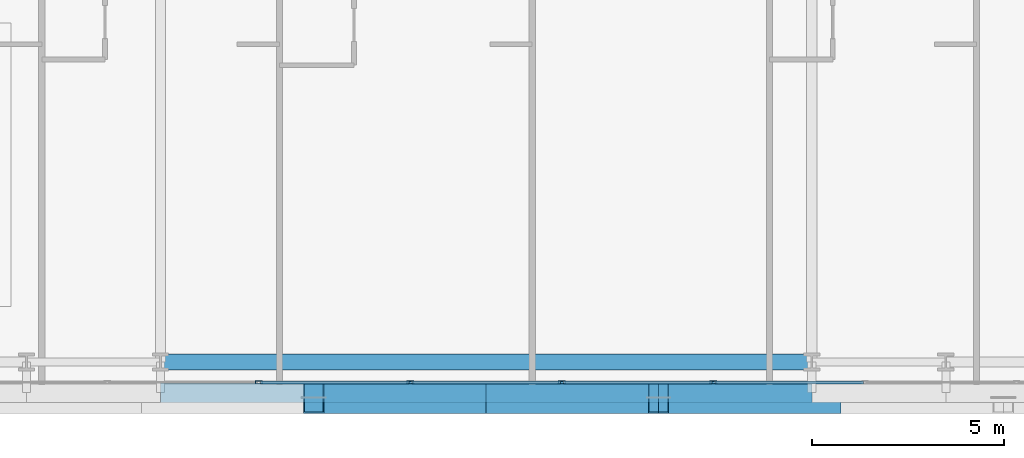
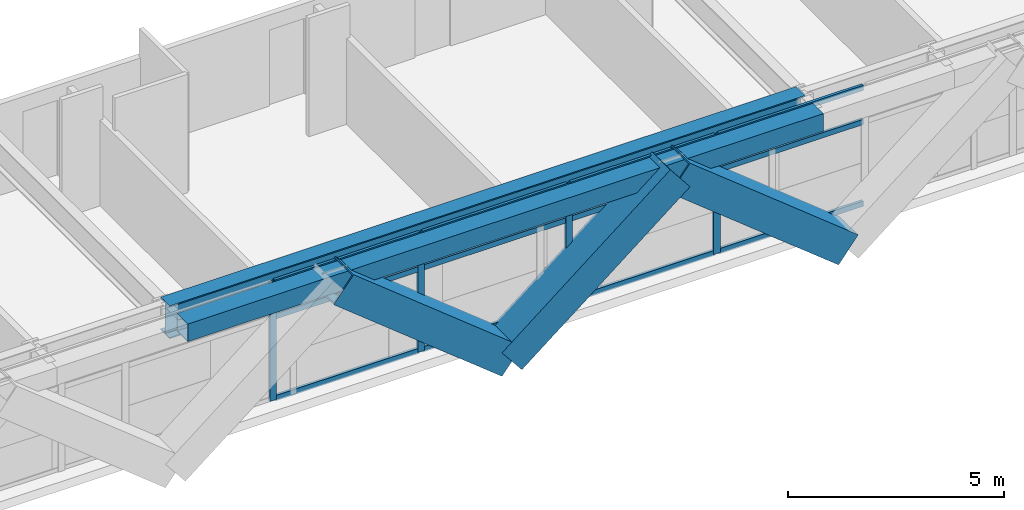
# One storey, part 5 of 35: 19 members, 2 beams, 1 element without a shape of its own.
"""IFC4 building model written with IfcOpenShell, lengths in metres."""

from ifc_helpers import new_model, si_unit, direction, frame, origin, origin_2d, place, context, subcontext, project, spatial, hollow_rectangle, i_section, extrude, source, transform, mapped, material, layer, layer_set, material_profile, profile_set, type_object, element, aggregate, save


model = new_model("IFC4")

# Units and contexts
model_context = context("Model", 3, precision=1e-05, world=origin(), true_north=direction((0.0, 1.0)))
body_context = subcontext(model_context, "Body", "Model", "MODEL_VIEW")
ifc_project = project(units=[si_unit("LENGTHUNIT", "METRE"), si_unit("AREAUNIT", "SQUARE_METRE"), si_unit("VOLUMEUNIT", "CUBIC_METRE"), si_unit("PLANEANGLEUNIT", "RADIAN"), si_unit("MASSUNIT", "GRAM", prefix="KILO")], contexts=[model_context])

# Site, building, storey
site_placement = place(None, origin())
site = spatial("IfcSite", under=ifc_project, at=site_placement, CompositionType="ELEMENT")
building_placement = place(site_placement, origin())
building = spatial("IfcBuilding", under=site, at=building_placement, Name="Ocotamira Hotel", CompositionType="ELEMENT")
storey_placement = place(building_placement, frame((0.0, 0.0, 49.199951171875)))
storey = spatial("IfcBuildingStorey", under=building, at=storey_placement, Name="L11", CompositionType="ELEMENT", Elevation=49.199951171875)

# Beams
ifc_material_1 = material(Name="Steel ASTM A992 Grade 50", Category="steel")
ifc_material_profile_1 = material_profile(ifc_material_1, i_section(OverallWidth=0.41796875, OverallDepth=0.927001953125, WebThickness=0.019287109375, FlangeThickness=0.031982421875, FilletRadius=0.02392578125, at=origin_2d()), Name="W36X231")
ifc_profile_set_1 = profile_set([ifc_material_profile_1], Name="Steel ASTM A992 Grade 50")
beam_type_1 = type_object("IfcBeamType", Name="BM-GIRD-W36X231", PredefinedType="BEAM", material=ifc_profile_set_1)
shared_shape_1 = source(origin(), body_context, "Body", "SweptSolid", [
    extrude(i_section(OverallWidth=0.41796875, OverallDepth=0.927001953125, WebThickness=0.019287109375, FlangeThickness=0.031982421875, FilletRadius=0.02392578125, at=origin_2d()), origin(), (0.0, 0.0, 1.0), 17.0),
])
beam_1_placement = place(storey_placement, frame((23.5, 2.949951171875, 2.886474609375), z_axis=(1.0, 0.0, 0.0), x_axis=(0.0, 1.0, 0.0)))
element("IfcBeam", 1, at=beam_1_placement, inside=storey, type_object=beam_type_1, Name="L11 Girder Y2.95 X23.5-40.5", PredefinedType="BEAM", context=body_context, shape_type="MappedRepresentation", body=[
    mapped(shared_shape_1, transform((0.0, 0.0, 0.0), scale=1.0)),
])
ifc_material_2 = material(Name="Steel ASTM A500 Grade C", Category="steel")
ifc_material_profile_2 = material_profile(ifc_material_2, hollow_rectangle(XDim=0.5, YDim=0.5, WallThickness=0.02001953125, at=origin_2d()), Name="HSS500X500X20")
ifc_profile_set_2 = profile_set([ifc_material_profile_2], Name="Steel ASTM A500 Grade C")
beam_type_2 = type_object("IfcBeamType", Name="BM-SPAN-HSS500", PredefinedType="USERDEFINED", material=ifc_profile_set_2)
shared_shape_2 = source(origin(), body_context, "Body", "SweptSolid", [
    extrude(hollow_rectangle(XDim=0.5, YDim=0.5, WallThickness=0.02001953125, at=origin_2d()), origin(), (0.0, 0.0, 1.0), 17.0),
])
beam_2_placement = place(storey_placement, frame((23.5, 2.14990234375, 3.10009765625), z_axis=(1.0, 0.0, 0.0), x_axis=(0.0, 1.0, 0.0)))
element("IfcBeam", 2, at=beam_2_placement, inside=storey, type_object=beam_type_2, Name="L11 Edge Spandrel S X23.5-40.5", ObjectType="SPANDREL", PredefinedType="USERDEFINED", context=body_context, shape_type="MappedRepresentation", body=[
    mapped(shared_shape_2, transform((0.0, 0.0, 0.0), scale=1.0)),
])

# Members
ifc_material_3 = material(Name="Pale-metal coated steel ASTM A913 Grade 65", Category="steel")
ifc_material_profile_3 = material_profile(ifc_material_3, hollow_rectangle(XDim=0.85009765625, YDim=0.85009765625, WallThickness=0.035888671875, at=origin_2d()), Name="BOX850X850X36")
ifc_profile_set_3 = profile_set([ifc_material_profile_3], Name="Pale-metal coated steel ASTM A913 Grade 65")
member_type_1 = type_object("IfcMemberType", Name="MEM-EXO-BOX850", PredefinedType="BRACE", material=ifc_profile_set_3)
shared_shape_3 = source(origin(), body_context, "Body", "SweptSolid", [
    extrude(hollow_rectangle(XDim=0.85009765625, YDim=0.85009765625, WallThickness=0.035888671875, at=origin_2d()), origin(), (0.0, 0.0, 1.0), 5.762939453125),
])
for number, where, z_axis, x_axis, name in (
    (3, (32.0, 2.030029296875, -0.5), (-0.780860543151, 0.0, 0.624705380279), (0.0, -1.0, 0.0), "L11 Exoskeleton Diagrid S1.2"),
    (4, (32.0, 2.030029296875, -0.5), (0.780860543151, 0.0, 0.624705380279), (0.0, 1.0, 0.0), "L11 Exoskeleton Diagrid S2.1"),
    (5, (41.0, 2.030029296875, -0.5), (-0.780860543151, 0.0, 0.624705380279), (0.0, -1.0, 0.0), "L11 Exoskeleton Diagrid S2.2"),
):
    element("IfcMember", number, at=place(storey_placement, frame(where, z_axis=z_axis, x_axis=x_axis)), inside=storey, type_object=member_type_1, Name=name, PredefinedType="BRACE", context=body_context, shape_type="MappedRepresentation", body=[
        mapped(shared_shape_3, transform((0.0, 0.0, 0.0), scale=1.0)),
    ])

# Curtain wall, members
ifc_material_4 = material(Name="Anodised pale-metal aluminium and solar glass", Category="aluminium")
ifc_layer = layer(ifc_material_4, 0.179931640625)
ifc_layer_set = layer_set([ifc_layer], Name="Anodised pale-metal aluminium and solar glass")
curtain_wall_type = type_object("IfcCurtainWallType", Name="CW-SYS2-Z1", PredefinedType="NOTDEFINED", material=ifc_layer_set)
curtain_wall_placement = place(storey_placement, origin())
curtain_wall = element("IfcCurtainWall", 6, at=curtain_wall_placement, inside=storey, type_object=curtain_wall_type, Name="L11 Curtain Wall CW-2 CW-L11-S1", PredefinedType="NOTDEFINED")
ifc_material_5 = material(Name="Anodised pale-metal aluminium 6063-T6", Category="aluminium")
ifc_material_profile_4 = material_profile(ifc_material_5, hollow_rectangle(XDim=0.074951171875, YDim=0.14990234375, WallThickness=0.006103515625, at=origin_2d()), Name="HSS150X75X6")
ifc_profile_set_4 = profile_set([ifc_material_profile_4], Name="Anodised pale-metal aluminium 6063-T6")
member_type_2 = type_object("IfcMemberType", Name="CWT-150X75", PredefinedType="USERDEFINED", material=ifc_profile_set_4)
shared_shape_4 = source(origin(), body_context, "Body", "SweptSolid", [
    extrude(hollow_rectangle(XDim=0.074951171875, YDim=0.14990234375, WallThickness=0.006103515625, at=origin_2d()), origin(), (0.0, 0.0, 1.0), 3.87548828125),
])
member_1_placement = place(storey_placement, frame((26.106689453125, 2.419921875, 0.03759765625), z_axis=(1.0, 0.0, 0.0), x_axis=(0.0, 1.0, 0.0)))
member_1 = element("IfcMember", 7, at=member_1_placement, type_object=member_type_2, Name="CW-2 transom 4.1", ObjectType="TRANSOM", PredefinedType="USERDEFINED", context=body_context, shape_type="MappedRepresentation", body=[
    mapped(shared_shape_4, transform((0.0, 0.0, 0.0), scale=1.0)),
])
member_2_placement = place(storey_placement, frame((26.106689453125, 2.419921875, 2.35009765625), z_axis=(1.0, 0.0, 0.0), x_axis=(0.0, 1.0, 0.0)))
member_2 = element("IfcMember", 8, at=member_2_placement, type_object=member_type_2, Name="CW-2 transom 4.2", ObjectType="TRANSOM", PredefinedType="USERDEFINED", context=body_context, shape_type="MappedRepresentation", body=[
    mapped(shared_shape_4, transform((0.0, 0.0, 0.0), scale=1.0)),
])
member_3_placement = place(storey_placement, frame((26.106689453125, 2.419921875, 3.3125), z_axis=(1.0, 0.0, 0.0), x_axis=(0.0, 1.0, 0.0)))
member_3 = element("IfcMember", 9, at=member_3_placement, type_object=member_type_2, Name="CW-2 transom 4.3", ObjectType="TRANSOM", PredefinedType="USERDEFINED", context=body_context, shape_type="MappedRepresentation", body=[
    mapped(shared_shape_4, transform((0.0, 0.0, 0.0), scale=1.0)),
])
member_4_placement = place(storey_placement, frame((30.062255859375, 2.419921875, 0.03759765625), z_axis=(1.0, 0.0, 0.0), x_axis=(0.0, 1.0, 0.0)))
member_4 = element("IfcMember", 10, at=member_4_placement, type_object=member_type_2, Name="CW-2 transom 5.1", ObjectType="TRANSOM", PredefinedType="USERDEFINED", context=body_context, shape_type="MappedRepresentation", body=[
    mapped(shared_shape_4, transform((0.0, 0.0, 0.0), scale=1.0)),
])
member_5_placement = place(storey_placement, frame((30.062255859375, 2.419921875, 2.35009765625), z_axis=(1.0, 0.0, 0.0), x_axis=(0.0, 1.0, 0.0)))
member_5 = element("IfcMember", 11, at=member_5_placement, type_object=member_type_2, Name="CW-2 transom 5.2", ObjectType="TRANSOM", PredefinedType="USERDEFINED", context=body_context, shape_type="MappedRepresentation", body=[
    mapped(shared_shape_4, transform((0.0, 0.0, 0.0), scale=1.0)),
])
member_6_placement = place(storey_placement, frame((30.062255859375, 2.419921875, 3.3125), z_axis=(1.0, 0.0, 0.0), x_axis=(0.0, 1.0, 0.0)))
member_6 = element("IfcMember", 12, at=member_6_placement, type_object=member_type_2, Name="CW-2 transom 5.3", ObjectType="TRANSOM", PredefinedType="USERDEFINED", context=body_context, shape_type="MappedRepresentation", body=[
    mapped(shared_shape_4, transform((0.0, 0.0, 0.0), scale=1.0)),
])
member_7_placement = place(storey_placement, frame((34.017822265625, 2.419921875, 0.03759765625), z_axis=(1.0, 0.0, 0.0), x_axis=(0.0, 1.0, 0.0)))
member_7 = element("IfcMember", 13, at=member_7_placement, type_object=member_type_2, Name="CW-2 transom 6.1", ObjectType="TRANSOM", PredefinedType="USERDEFINED", context=body_context, shape_type="MappedRepresentation", body=[
    mapped(shared_shape_4, transform((0.0, 0.0, 0.0), scale=1.0)),
])
member_8_placement = place(storey_placement, frame((34.017822265625, 2.419921875, 2.35009765625), z_axis=(1.0, 0.0, 0.0), x_axis=(0.0, 1.0, 0.0)))
member_8 = element("IfcMember", 14, at=member_8_placement, type_object=member_type_2, Name="CW-2 transom 6.2", ObjectType="TRANSOM", PredefinedType="USERDEFINED", context=body_context, shape_type="MappedRepresentation", body=[
    mapped(shared_shape_4, transform((0.0, 0.0, 0.0), scale=1.0)),
])
member_9_placement = place(storey_placement, frame((34.017822265625, 2.419921875, 3.3125), z_axis=(1.0, 0.0, 0.0), x_axis=(0.0, 1.0, 0.0)))
member_9 = element("IfcMember", 15, at=member_9_placement, type_object=member_type_2, Name="CW-2 transom 6.3", ObjectType="TRANSOM", PredefinedType="USERDEFINED", context=body_context, shape_type="MappedRepresentation", body=[
    mapped(shared_shape_4, transform((0.0, 0.0, 0.0), scale=1.0)),
])
member_10_placement = place(storey_placement, frame((37.973388671875, 2.419921875, 0.03759765625), z_axis=(1.0, 0.0, 0.0), x_axis=(0.0, 1.0, 0.0)))
member_10 = element("IfcMember", 16, at=member_10_placement, type_object=member_type_2, Name="CW-2 transom 7.1", ObjectType="TRANSOM", PredefinedType="USERDEFINED", context=body_context, shape_type="MappedRepresentation", body=[
    mapped(shared_shape_4, transform((0.0, 0.0, 0.0), scale=1.0)),
])
member_11_placement = place(storey_placement, frame((37.973388671875, 2.419921875, 2.35009765625), z_axis=(1.0, 0.0, 0.0), x_axis=(0.0, 1.0, 0.0)))
member_11 = element("IfcMember", 17, at=member_11_placement, type_object=member_type_2, Name="CW-2 transom 7.2", ObjectType="TRANSOM", PredefinedType="USERDEFINED", context=body_context, shape_type="MappedRepresentation", body=[
    mapped(shared_shape_4, transform((0.0, 0.0, 0.0), scale=1.0)),
])
member_12_placement = place(storey_placement, frame((37.973388671875, 2.419921875, 3.3125), z_axis=(1.0, 0.0, 0.0), x_axis=(0.0, 1.0, 0.0)))
member_12 = element("IfcMember", 18, at=member_12_placement, type_object=member_type_2, Name="CW-2 transom 7.3", ObjectType="TRANSOM", PredefinedType="USERDEFINED", context=body_context, shape_type="MappedRepresentation", body=[
    mapped(shared_shape_4, transform((0.0, 0.0, 0.0), scale=1.0)),
])
ifc_material_profile_5 = material_profile(ifc_material_5, hollow_rectangle(XDim=0.080078125, YDim=0.179931640625, WallThickness=0.006103515625, at=origin_2d()), Name="HSS180X80X6")
ifc_profile_set_5 = profile_set([ifc_material_profile_5], Name="Anodised pale-metal aluminium 6063-T6")
member_type_3 = type_object("IfcMemberType", Name="CWM-180X75", PredefinedType="MULLION", material=ifc_profile_set_5)
shared_shape_5 = source(origin(), body_context, "Body", "SweptSolid", [
    extrude(hollow_rectangle(XDim=0.080078125, YDim=0.179931640625, WallThickness=0.006103515625, at=origin_2d()), origin(), (0.0, 0.0, 1.0), 3.35009765625),
])
member_13_placement = place(storey_placement, frame((26.066650390625, 2.419921875, 0.0), z_axis=(0.0, 0.0, 1.0), x_axis=(0.0, 1.0, 0.0)))
member_13 = element("IfcMember", 19, at=member_13_placement, type_object=member_type_3, Name="CW-2 mullion 4", PredefinedType="MULLION", context=body_context, shape_type="MappedRepresentation", body=[
    mapped(shared_shape_5, transform((0.0, 0.0, 0.0), scale=1.0)),
])
member_14_placement = place(storey_placement, frame((30.022216796875, 2.419921875, 0.0), z_axis=(0.0, 0.0, 1.0), x_axis=(0.0, 1.0, 0.0)))
member_14 = element("IfcMember", 20, at=member_14_placement, type_object=member_type_3, Name="CW-2 mullion 5", PredefinedType="MULLION", context=body_context, shape_type="MappedRepresentation", body=[
    mapped(shared_shape_5, transform((0.0, 0.0, 0.0), scale=1.0)),
])
member_15_placement = place(storey_placement, frame((33.977783203125, 2.419921875, 0.0), z_axis=(0.0, 0.0, 1.0), x_axis=(0.0, 1.0, 0.0)))
member_15 = element("IfcMember", 21, at=member_15_placement, type_object=member_type_3, Name="CW-2 mullion 6", PredefinedType="MULLION", context=body_context, shape_type="MappedRepresentation", body=[
    mapped(shared_shape_5, transform((0.0, 0.0, 0.0), scale=1.0)),
])
member_16_placement = place(storey_placement, frame((37.933349609375, 2.419921875, 0.0), z_axis=(0.0, 0.0, 1.0), x_axis=(0.0, 1.0, 0.0)))
member_16 = element("IfcMember", 22, at=member_16_placement, type_object=member_type_3, Name="CW-2 mullion 7", PredefinedType="MULLION", context=body_context, shape_type="MappedRepresentation", body=[
    mapped(shared_shape_5, transform((0.0, 0.0, 0.0), scale=1.0)),
])
aggregate(curtain_wall, [member_13, member_14, member_15, member_16, member_1, member_2, member_3, member_4, member_5, member_6, member_7, member_8, member_9, member_10, member_11, member_12])

save(model, "model.ifc")
